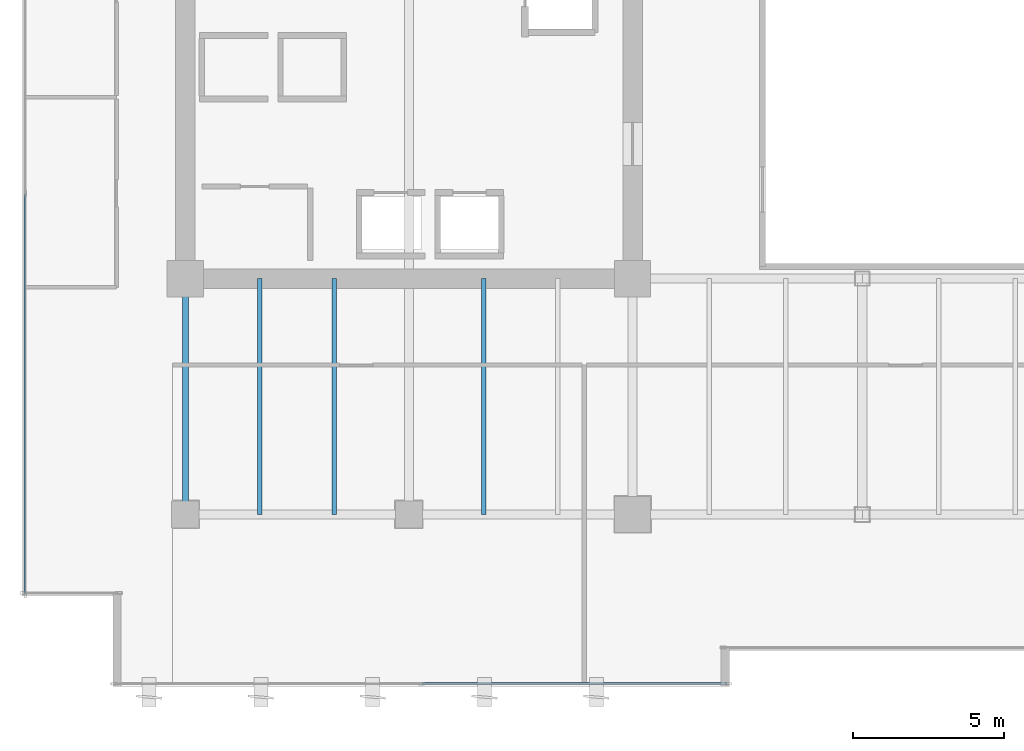
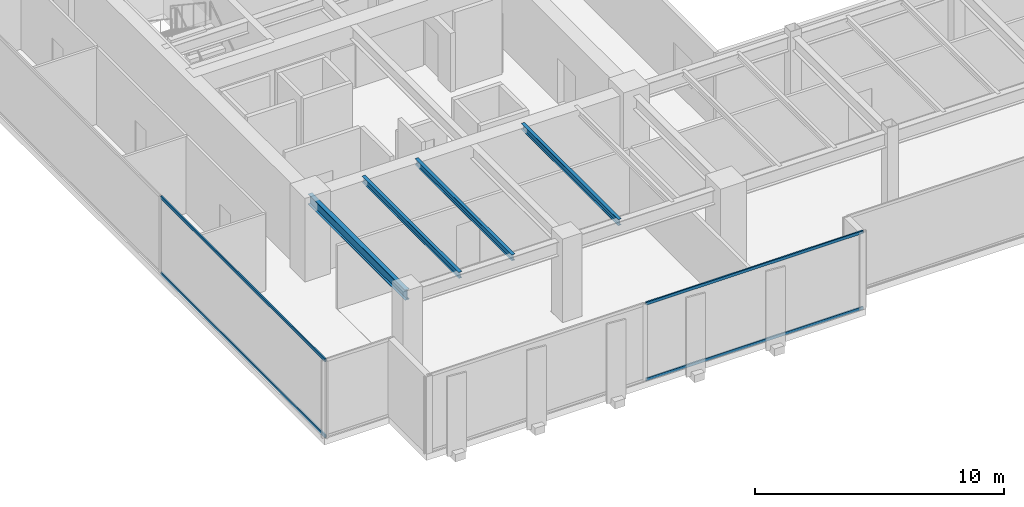
# One storey, part 3 of 34: 4 beams, 4 members, 2 elements without a shape of their own.
"""IFC4 building model written with IfcOpenShell, lengths in metres."""

from ifc_helpers import new_model, si_unit, direction, frame, origin, origin_2d, place, context, subcontext, project, spatial, hollow_rectangle, i_section, extrude, source, transform, mapped, material, layer, layer_set, material_profile, profile_set, type_object, type_shapes, element, aggregate, save


model = new_model("IFC4")

# Units and contexts
model_context = context("Model", 3, precision=1e-05, world=origin(), true_north=direction((0.0, 1.0)))
body_context = subcontext(model_context, "Body", "Model", "MODEL_VIEW")
ifc_project = project(units=[si_unit("LENGTHUNIT", "METRE"), si_unit("AREAUNIT", "SQUARE_METRE"), si_unit("VOLUMEUNIT", "CUBIC_METRE"), si_unit("PLANEANGLEUNIT", "RADIAN"), si_unit("MASSUNIT", "GRAM", prefix="KILO")], contexts=[model_context])

# Site, building, storey
site_placement = place(None, origin())
site = spatial("IfcSite", under=ifc_project, at=site_placement, CompositionType="ELEMENT")
building_placement = place(site_placement, origin())
building = spatial("IfcBuilding", under=site, at=building_placement, Name="Haelvirn Gate Laboratories", CompositionType="ELEMENT")
storey_placement = place(building_placement, frame((0.0, 0.0, 109.199951171875)))
storey = spatial("IfcBuildingStorey", under=building, at=storey_placement, Name="L26", CompositionType="ELEMENT", Elevation=109.199951171875)

# Beams
ifc_material_1 = material(Name="Steel SM355", Category="steel")
ifc_material_profile_1 = material_profile(ifc_material_1, i_section(OverallWidth=0.199951171875, OverallDepth=0.5, WebThickness=0.010009765625, FlangeThickness=0.01611328125, at=origin_2d()), Name="H-500x200x10x16")
ifc_profile_set_1 = profile_set([ifc_material_profile_1], Name="Steel SM355")
beam_type_1 = type_object("IfcBeamType", Name="BM-SP-500", PredefinedType="SPANDREL", material=ifc_profile_set_1)
shared_shape_1 = source(origin(), body_context, "Body", "SweptSolid", [
    extrude(i_section(OverallWidth=0.199951171875, OverallDepth=0.5, WebThickness=0.010009765625, FlangeThickness=0.01611328125, at=origin_2d()), origin(), (0.0, 0.0, 1.0), 7.800048828125),
])
type_shapes(beam_type_1, [shared_shape_1])
beam_placement = place(storey_placement, frame((7.39990234375, 7.0, 3.5400390625), z_axis=(0.0, 1.0, 0.0), x_axis=(-1.0, 0.0, 0.0)))
element("IfcBeam", 1, at=beam_placement, inside=storey, type_object=beam_type_1, Name="L26 Perimeter Spandrel X7.4 (7.0-14.8)", PredefinedType="SPANDREL", context=body_context, shape_type="MappedRepresentation", body=[
    mapped(shared_shape_1, transform((0.0, 0.0, 0.0), scale=1.0)),
])
ifc_material_profile_2 = material_profile(ifc_material_1, i_section(OverallWidth=0.14990234375, OverallDepth=0.300048828125, WebThickness=0.006591796875, FlangeThickness=0.009033203125, at=origin_2d()), Name="H-300x150x6.5x9")
ifc_profile_set_2 = profile_set([ifc_material_profile_2], Name="Steel SM355")
beam_type_2 = type_object("IfcBeamType", Name="BM-J-300", PredefinedType="JOIST", material=ifc_profile_set_2)
shared_shape_2 = source(origin(), body_context, "Body", "SweptSolid", [
    extrude(i_section(OverallWidth=0.14990234375, OverallDepth=0.300048828125, WebThickness=0.006591796875, FlangeThickness=0.009033203125, at=origin_2d()), origin(), (0.0, 0.0, 1.0), 7.800048828125),
])
type_shapes(beam_type_2, [shared_shape_2])
for number, where, z_axis, x_axis, name in (
    (2, (9.8701171875, 7.0, 3.64013671875), (0.0, 1.0, 0.0), (-1.0, 0.0, 0.0), "L26 Composite Lab Joist South X9.87"),
    (3, (12.330078125, 7.0, 3.64013671875), (0.0, 1.0, 0.0), (-1.0, 0.0, 0.0), "L26 Composite Lab Joist South X12.33"),
    (4, (17.27001953125, 7.0, 3.64013671875), (0.0, 1.0, 0.0), (-1.0, 0.0, 0.0), "L26 Composite Lab Joist South X17.27"),
):
    element("IfcBeam", number, at=place(storey_placement, frame(where, z_axis=z_axis, x_axis=x_axis)), inside=storey, type_object=beam_type_2, Name=name, PredefinedType="JOIST", context=body_context, shape_type="MappedRepresentation", body=[
        mapped(shared_shape_2, transform((0.0, 0.0, 0.0), scale=1.0)),
    ])

# Curtain wall, members
ifc_material_2 = material(Name="Anodised bronze unitised aluminium & triple low-E glass", Category="aluminium")
ifc_layer = layer(ifc_material_2, 0.179931640625, Name="CW-SYS-3")
ifc_layer_set = layer_set([ifc_layer], Name="Anodised bronze unitised aluminium & triple low-E glass")
curtain_wall_type = type_object("IfcCurtainWallType", Name="CW-SYS-3", PredefinedType="NOTDEFINED", material=ifc_layer_set)
curtain_wall_1_placement = place(storey_placement, origin())
curtain_wall_1 = element("IfcCurtainWall", 5, at=curtain_wall_1_placement, inside=storey, type_object=curtain_wall_type, Name="L26 Unitised Curtain Wall CW-L26-P0-E00-1", PredefinedType="NOTDEFINED")
ifc_material_3 = material(Name="Extruded aluminium 6063-T6 (anodised bronze)", Category="aluminium")
ifc_material_profile_3 = material_profile(ifc_material_3, hollow_rectangle(XDim=0.06494140625, YDim=0.139892578125, WallThickness=0.00390625, at=origin_2d()), Name="CWT-140x65x4")
ifc_profile_set_3 = profile_set([ifc_material_profile_3], Name="Extruded aluminium 6063-T6 (anodised bronze)")
member_type = type_object("IfcMemberType", Name="CWT-T140", PredefinedType="USERDEFINED", material=ifc_profile_set_3)
shared_shape_3 = source(origin(), body_context, "Body", "SweptSolid", [
    extrude(hollow_rectangle(XDim=0.06494140625, YDim=0.139892578125, WallThickness=0.00390625, at=origin_2d()), origin(), (0.0, 0.0, 1.0), 10.08740234375),
])
member_1_placement = place(storey_placement, frame((15.237548828125, 1.39990234375, 0.032470703125), z_axis=(1.0, 0.0, 0.0), x_axis=(0.0, 1.0, 0.0)))
member_1 = element("IfcMember", 6, at=member_1_placement, type_object=member_type, Name="CW3 transom 2.1", ObjectType="TRANSOM", PredefinedType="USERDEFINED", context=body_context, shape_type="MappedRepresentation", body=[
    mapped(shared_shape_3, transform((0.0, 0.0, 0.0), scale=1.0)),
])
member_2_placement = place(storey_placement, frame((15.237548828125, 1.39990234375, 3.757568359375), z_axis=(1.0, 0.0, 0.0), x_axis=(0.0, 1.0, 0.0)))
member_2 = element("IfcMember", 7, at=member_2_placement, type_object=member_type, Name="CW3 transom 2.2", ObjectType="TRANSOM", PredefinedType="USERDEFINED", context=body_context, shape_type="MappedRepresentation", body=[
    mapped(shared_shape_3, transform((0.0, 0.0, 0.0), scale=1.0)),
])
aggregate(curtain_wall_1, [member_1, member_2])

curtain_wall_2_placement = place(storey_placement, origin())
curtain_wall_2 = element("IfcCurtainWall", 8, at=curtain_wall_2_placement, inside=storey, type_object=curtain_wall_type, Name="L26 Unitised Curtain Wall CW-L26-P0-E17", PredefinedType="NOTDEFINED")
shared_shape_4 = source(origin(), body_context, "Body", "SweptSolid", [
    extrude(hollow_rectangle(XDim=0.06494140625, YDim=0.139892578125, WallThickness=0.00390625, at=origin_2d()), origin(), (0.0, 0.0, 1.0), 13.220947265625),
])
type_shapes(member_type, [shared_shape_3, shared_shape_4])
member_3_placement = place(storey_placement, frame((2.10009765625, 17.595947265625, 0.032470703125), z_axis=(0.0, -1.0, 0.0), x_axis=(1.0, 0.0, 0.0)))
member_3 = element("IfcMember", 9, at=member_3_placement, type_object=member_type, Name="CW3 transom 3.1", ObjectType="TRANSOM", PredefinedType="USERDEFINED", context=body_context, shape_type="MappedRepresentation", body=[
    mapped(shared_shape_4, transform((0.0, 0.0, 0.0), scale=1.0)),
])
member_4_placement = place(storey_placement, frame((2.10009765625, 17.595947265625, 3.757568359375), z_axis=(0.0, -1.0, 0.0), x_axis=(1.0, 0.0, 0.0)))
member_4 = element("IfcMember", 10, at=member_4_placement, type_object=member_type, Name="CW3 transom 3.2", ObjectType="TRANSOM", PredefinedType="USERDEFINED", context=body_context, shape_type="MappedRepresentation", body=[
    mapped(shared_shape_4, transform((0.0, 0.0, 0.0), scale=1.0)),
])
aggregate(curtain_wall_2, [member_3, member_4])

save(model, "model.ifc")
